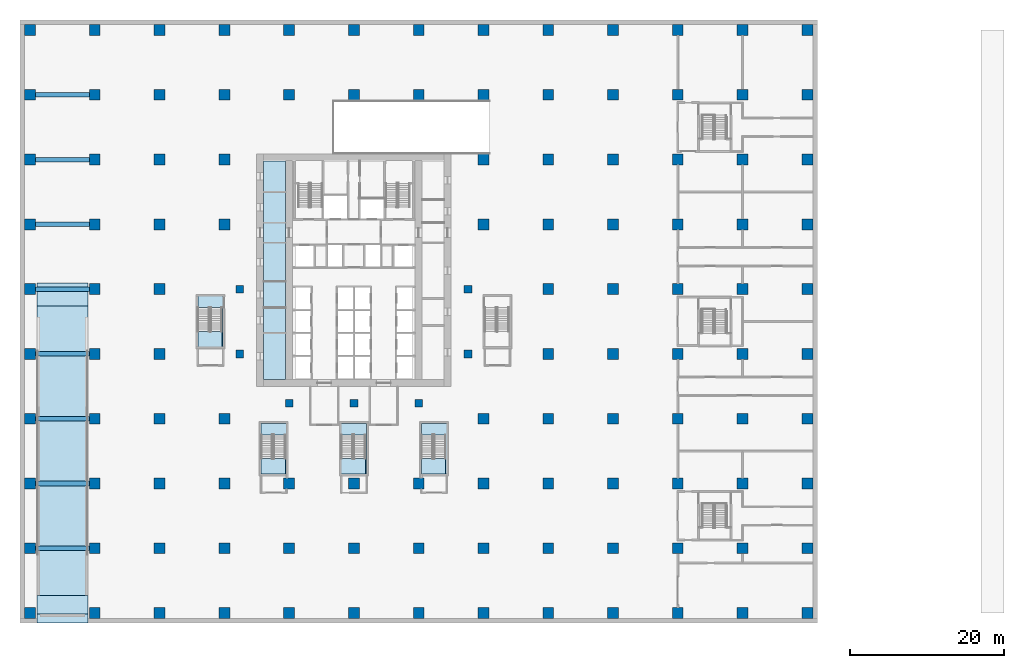
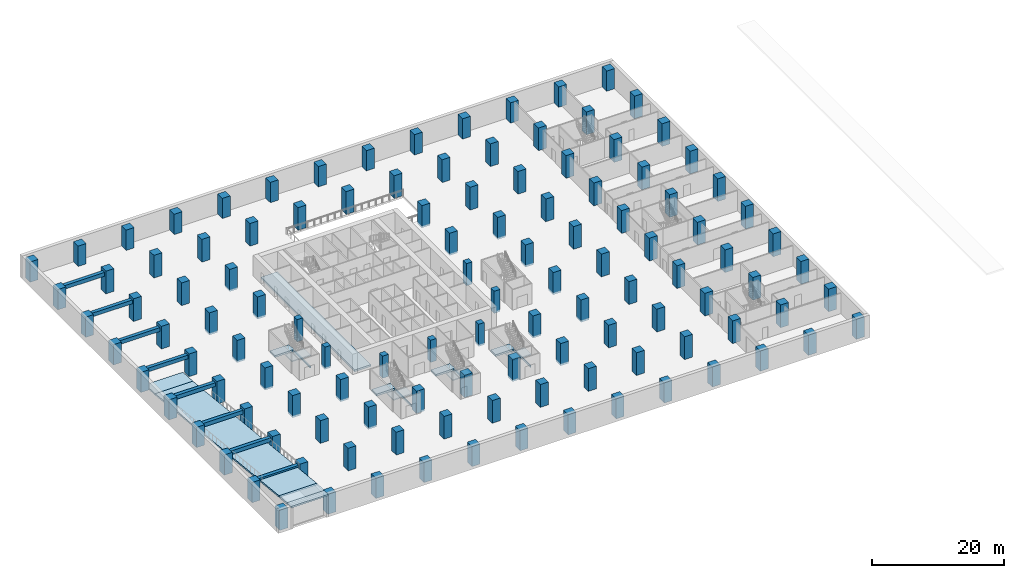
# One storey, part 1 of 17: 118 columns, 13 slabs, 8 beams, 4 elements without a shape of their own.
"""IFC4 building model written with IfcOpenShell, lengths in metres."""

from ifc_helpers import new_model, si_unit, direction, frame, origin, origin_2d, place, context, subcontext, project, spatial, polyline, rectangle, outline, extrude, material, layer, layer_set, material_profile, profile_set, type_object, element, aggregate, save


model = new_model("IFC4")

# Units and contexts
model_context = context("Model", 3, precision=1e-05, world=origin(), true_north=direction((0.0, 1.0)))
body_context = subcontext(model_context, "Body", "Model", "MODEL_VIEW")
ifc_project = project(units=[si_unit("LENGTHUNIT", "METRE"), si_unit("AREAUNIT", "SQUARE_METRE"), si_unit("VOLUMEUNIT", "CUBIC_METRE"), si_unit("PLANEANGLEUNIT", "RADIAN"), si_unit("MASSUNIT", "GRAM", prefix="KILO")], contexts=[model_context])

# Site, building, storey
site_placement = place(None, origin())
site = spatial("IfcSite", under=ifc_project, at=site_placement, CompositionType="ELEMENT")
building_placement = place(site_placement, origin())
building = spatial("IfcBuilding", under=site, at=building_placement, Name="Vermilion Ogive Tower", CompositionType="ELEMENT")
storey_placement = place(building_placement, frame((0.0, 0.0, -4.199951171875)))
storey = spatial("IfcBuildingStorey", under=building, at=storey_placement, Name="B1", CompositionType="ELEMENT", Elevation=-4.199951171875)

# Columns
ifc_material_1 = material(Name="Concrete B80", Category="concrete")
ifc_material_profile_1 = material_profile(ifc_material_1, rectangle(XDim=1.39990234375, YDim=1.39990234375, at=origin_2d()), Name="1400 x 1400")
ifc_profile_set_1 = profile_set([ifc_material_profile_1], Name="Concrete B80")
column_type_1 = type_object("IfcColumnType", Name="Perimeter column 1400 x 1400 B80", PredefinedType="COLUMN", material=ifc_profile_set_1)
for number, where, z_axis, x_axis, name in (
    (1, (-16.800048828125, -21.0, -0.35009765625), (0.0, 0.0, 1.0), (1.0, 0.0, 0.0), "COL-B1-P-0168-210"),
    (2, (-8.39990234375, -21.0, -0.35009765625), (0.0, 0.0, 1.0), (1.0, 0.0, 0.0), "COL-B1-P-0084-210"),
    (3, (0.0, -21.0, -0.35009765625), (0.0, 0.0, 1.0), (1.0, 0.0, 0.0), "COL-B1-P+0000-210"),
    (4, (8.39990234375, -21.0, -0.35009765625), (0.0, 0.0, 1.0), (1.0, 0.0, 0.0), "COL-B1-P+0084-210"),
    (5, (16.800048828125, -21.0, -0.35009765625), (0.0, 0.0, 1.0), (1.0, 0.0, 0.0), "COL-B1-P+0168-210"),
    (6, (-25.199951171875, -12.60009765625, -0.35009765625), (0.0, 0.0, 1.0), (1.0, 0.0, 0.0), "COL-B1-P-0252-126"),
    (7, (-16.800048828125, -12.60009765625, -0.35009765625), (0.0, 0.0, 1.0), (1.0, 0.0, 0.0), "COL-B1-P-0168-126"),
    (8, (16.800048828125, -12.60009765625, -0.35009765625), (0.0, 0.0, 1.0), (1.0, 0.0, 0.0), "COL-B1-P+0168-126"),
    (9, (25.199951171875, -12.60009765625, -0.35009765625), (0.0, 0.0, 1.0), (1.0, 0.0, 0.0), "COL-B1-P+0252-126"),
    (10, (-25.199951171875, -4.199951171875, -0.35009765625), (0.0, 0.0, 1.0), (1.0, 0.0, 0.0), "COL-B1-P-0252-042"),
    (11, (25.199951171875, -4.199951171875, -0.35009765625), (0.0, 0.0, 1.0), (1.0, 0.0, 0.0), "COL-B1-P+0252-042"),
    (12, (-25.199951171875, 4.199951171875, -0.35009765625), (0.0, 0.0, 1.0), (1.0, 0.0, 0.0), "COL-B1-P-0252+042"),
    (13, (25.199951171875, 4.199951171875, -0.35009765625), (0.0, 0.0, 1.0), (1.0, 0.0, 0.0), "COL-B1-P+0252+042"),
    (14, (-25.199951171875, 12.60009765625, -0.35009765625), (0.0, 0.0, 1.0), (1.0, 0.0, 0.0), "COL-B1-P-0252+126"),
    (15, (-16.800048828125, 12.60009765625, -0.35009765625), (0.0, 0.0, 1.0), (1.0, 0.0, 0.0), "COL-B1-P-0168+126"),
    (16, (16.800048828125, 12.60009765625, -0.35009765625), (0.0, 0.0, 1.0), (1.0, 0.0, 0.0), "COL-B1-P+0168+126"),
    (17, (25.199951171875, 12.60009765625, -0.35009765625), (0.0, 0.0, 1.0), (1.0, 0.0, 0.0), "COL-B1-P+0252+126"),
    (18, (-16.800048828125, 21.0, -0.35009765625), (0.0, 0.0, 1.0), (1.0, 0.0, 0.0), "COL-B1-P-0168+210"),
    (19, (16.800048828125, 21.0, -0.35009765625), (0.0, 0.0, 1.0), (1.0, 0.0, 0.0), "COL-B1-P+0168+210"),
):
    element("IfcColumn", number, at=place(storey_placement, frame(where, z_axis=z_axis, x_axis=x_axis)), inside=storey, type_object=column_type_1, Name=name, PredefinedType="COLUMN", context=body_context, shape_type="SweptSolid", body=[
        extrude(rectangle(XDim=1.39990234375, YDim=1.39990234375, at=origin_2d()), origin(), (0.0, 0.0, 1.0), 4.10009765625),
    ])
ifc_material_2 = material(Name="Concrete B60", Category="concrete")
ifc_material_profile_2 = material_profile(ifc_material_2, rectangle(XDim=1.39990234375, YDim=1.39990234375, at=origin_2d()), Name="RC 1400x1400")
ifc_profile_set_2 = profile_set([ifc_material_profile_2], Name="Concrete B60")
column_type_2 = type_object("IfcColumnType", Name="Podium column RC 1400", PredefinedType="COLUMN", material=ifc_profile_set_2)
for number, where, z_axis, x_axis, name in (
    (20, (-42.0, -37.800048828125, 0.0), (0.0, 0.0, 1.0), (1.0, 0.0, 0.0), "Column 1.4 B1"),
    (21, (-33.60009765625, -37.800048828125, 0.0), (0.0, 0.0, 1.0), (1.0, 0.0, 0.0), "Column 1.4 B1"),
    (22, (-25.199951171875, -37.800048828125, 0.0), (0.0, 0.0, 1.0), (1.0, 0.0, 0.0), "Column 1.4 B1"),
    (23, (-16.800048828125, -37.800048828125, 0.0), (0.0, 0.0, 1.0), (1.0, 0.0, 0.0), "Column 1.4 B1"),
    (24, (-8.39990234375, -37.800048828125, 0.0), (0.0, 0.0, 1.0), (1.0, 0.0, 0.0), "Column 1.4 B1"),
    (25, (0.0, -37.800048828125, 0.0), (0.0, 0.0, 1.0), (1.0, 0.0, 0.0), "Column 1.4 B1"),
    (26, (8.39990234375, -37.800048828125, 0.0), (0.0, 0.0, 1.0), (1.0, 0.0, 0.0), "Column 1.4 B1"),
    (27, (16.800048828125, -37.800048828125, 0.0), (0.0, 0.0, 1.0), (1.0, 0.0, 0.0), "Column 1.4 B1"),
    (28, (25.199951171875, -37.800048828125, 0.0), (0.0, 0.0, 1.0), (1.0, 0.0, 0.0), "Column 1.4 B1"),
    (29, (33.60009765625, -37.800048828125, 0.0), (0.0, 0.0, 1.0), (1.0, 0.0, 0.0), "Column 1.4 B1"),
    (30, (42.0, -37.800048828125, 0.0), (0.0, 0.0, 1.0), (1.0, 0.0, 0.0), "Column 1.4 B1"),
    (31, (50.39990234375, -37.800048828125, 0.0), (0.0, 0.0, 1.0), (1.0, 0.0, 0.0), "Column 1.4 B1"),
    (32, (58.800048828125, -37.800048828125, 0.0), (0.0, 0.0, 1.0), (1.0, 0.0, 0.0), "Column 1.4 B1"),
    (33, (-42.0, -29.39990234375, 0.0), (0.0, 0.0, 1.0), (1.0, 0.0, 0.0), "Column 1.4 B1"),
):
    element("IfcColumn", number, at=place(storey_placement, frame(where, z_axis=z_axis, x_axis=x_axis)), inside=storey, type_object=column_type_2, Name=name, PredefinedType="COLUMN", context=body_context, shape_type="SweptSolid", body=[
        extrude(rectangle(XDim=1.39990234375, YDim=1.39990234375, at=origin_2d()), origin(), (0.0, 0.0, 1.0), 3.75),
    ])
for number, where, z_axis, x_axis, name in (
    (34, (-33.60009765625, -29.39990234375, 0.0), (0.0, 0.0, 1.0), (1.0, 0.0, 0.0), "Column 1.4 B1"),
    (35, (-25.199951171875, -29.39990234375, 0.0), (0.0, 0.0, 1.0), (1.0, 0.0, 0.0), "Column 1.4 B1"),
    (36, (-16.800048828125, -29.39990234375, 0.0), (0.0, 0.0, 1.0), (1.0, 0.0, 0.0), "Column 1.4 B1"),
    (37, (-8.39990234375, -29.39990234375, 0.0), (0.0, 0.0, 1.0), (1.0, 0.0, 0.0), "Column 1.4 B1"),
    (38, (0.0, -29.39990234375, 0.0), (0.0, 0.0, 1.0), (1.0, 0.0, 0.0), "Column 1.4 B1"),
    (39, (8.39990234375, -29.39990234375, 0.0), (0.0, 0.0, 1.0), (1.0, 0.0, 0.0), "Column 1.4 B1"),
    (40, (16.800048828125, -29.39990234375, 0.0), (0.0, 0.0, 1.0), (1.0, 0.0, 0.0), "Column 1.4 B1"),
    (41, (25.199951171875, -29.39990234375, 0.0), (0.0, 0.0, 1.0), (1.0, 0.0, 0.0), "Column 1.4 B1"),
    (42, (33.60009765625, -29.39990234375, 0.0), (0.0, 0.0, 1.0), (1.0, 0.0, 0.0), "Column 1.4 B1"),
    (43, (42.0, -29.39990234375, 0.0), (0.0, 0.0, 1.0), (1.0, 0.0, 0.0), "Column 1.4 B1"),
    (44, (50.39990234375, -29.39990234375, 0.0), (0.0, 0.0, 1.0), (1.0, 0.0, 0.0), "Column 1.4 B1"),
    (45, (58.800048828125, -29.39990234375, 0.0), (0.0, 0.0, 1.0), (1.0, 0.0, 0.0), "Column 1.4 B1"),
):
    element("IfcColumn", number, at=place(storey_placement, frame(where, z_axis=z_axis, x_axis=x_axis)), inside=storey, type_object=column_type_2, Name=name, PredefinedType="COLUMN", context=body_context, shape_type="SweptSolid", body=[
        extrude(rectangle(XDim=1.39990234375, YDim=1.39990234375, at=origin_2d()), origin(), (0.0, 0.0, 1.0), 4.199951171875),
    ])
column_1_placement = place(storey_placement, frame((-42.0, -21.0, 0.0), z_axis=(0.0, 0.0, 1.0), x_axis=(1.0, 0.0, 0.0)))
element("IfcColumn", 46, at=column_1_placement, inside=storey, type_object=column_type_2, Name="Column 1.4 B1", PredefinedType="COLUMN", context=body_context, shape_type="SweptSolid", body=[
    extrude(rectangle(XDim=1.39990234375, YDim=1.39990234375, at=origin_2d()), origin(), (0.0, 0.0, 1.0), 3.75),
])
for number, where, z_axis, x_axis, name in (
    (47, (-33.60009765625, -21.0, 0.0), (0.0, 0.0, 1.0), (1.0, 0.0, 0.0), "Column 1.4 B1"),
    (48, (-25.199951171875, -21.0, 0.0), (0.0, 0.0, 1.0), (1.0, 0.0, 0.0), "Column 1.4 B1"),
    (49, (25.199951171875, -21.0, 0.0), (0.0, 0.0, 1.0), (1.0, 0.0, 0.0), "Column 1.4 B1"),
    (50, (33.60009765625, -21.0, 0.0), (0.0, 0.0, 1.0), (1.0, 0.0, 0.0), "Column 1.4 B1"),
    (51, (42.0, -21.0, 0.0), (0.0, 0.0, 1.0), (1.0, 0.0, 0.0), "Column 1.4 B1"),
    (52, (50.39990234375, -21.0, 0.0), (0.0, 0.0, 1.0), (1.0, 0.0, 0.0), "Column 1.4 B1"),
    (53, (58.800048828125, -21.0, 0.0), (0.0, 0.0, 1.0), (1.0, 0.0, 0.0), "Column 1.4 B1"),
):
    element("IfcColumn", number, at=place(storey_placement, frame(where, z_axis=z_axis, x_axis=x_axis)), inside=storey, type_object=column_type_2, Name=name, PredefinedType="COLUMN", context=body_context, shape_type="SweptSolid", body=[
        extrude(rectangle(XDim=1.39990234375, YDim=1.39990234375, at=origin_2d()), origin(), (0.0, 0.0, 1.0), 4.199951171875),
    ])
column_2_placement = place(storey_placement, frame((-42.0, -12.60009765625, 0.0), z_axis=(0.0, 0.0, 1.0), x_axis=(1.0, 0.0, 0.0)))
element("IfcColumn", 54, at=column_2_placement, inside=storey, type_object=column_type_2, Name="Column 1.4 B1", PredefinedType="COLUMN", context=body_context, shape_type="SweptSolid", body=[
    extrude(rectangle(XDim=1.39990234375, YDim=1.39990234375, at=origin_2d()), origin(), (0.0, 0.0, 1.0), 3.75),
])
for number, where, z_axis, x_axis, name in (
    (55, (-33.60009765625, -12.60009765625, 0.0), (0.0, 0.0, 1.0), (1.0, 0.0, 0.0), "Column 1.4 B1"),
    (56, (33.60009765625, -12.60009765625, 0.0), (0.0, 0.0, 1.0), (1.0, 0.0, 0.0), "Column 1.4 B1"),
    (57, (42.0, -12.60009765625, 0.0), (0.0, 0.0, 1.0), (1.0, 0.0, 0.0), "Column 1.4 B1"),
    (58, (50.39990234375, -12.60009765625, 0.0), (0.0, 0.0, 1.0), (1.0, 0.0, 0.0), "Column 1.4 B1"),
    (59, (58.800048828125, -12.60009765625, 0.0), (0.0, 0.0, 1.0), (1.0, 0.0, 0.0), "Column 1.4 B1"),
):
    element("IfcColumn", number, at=place(storey_placement, frame(where, z_axis=z_axis, x_axis=x_axis)), inside=storey, type_object=column_type_2, Name=name, PredefinedType="COLUMN", context=body_context, shape_type="SweptSolid", body=[
        extrude(rectangle(XDim=1.39990234375, YDim=1.39990234375, at=origin_2d()), origin(), (0.0, 0.0, 1.0), 4.199951171875),
    ])
column_3_placement = place(storey_placement, frame((-42.0, -4.199951171875, 0.0), z_axis=(0.0, 0.0, 1.0), x_axis=(1.0, 0.0, 0.0)))
element("IfcColumn", 60, at=column_3_placement, inside=storey, type_object=column_type_2, Name="Column 1.4 B1", PredefinedType="COLUMN", context=body_context, shape_type="SweptSolid", body=[
    extrude(rectangle(XDim=1.39990234375, YDim=1.39990234375, at=origin_2d()), origin(), (0.0, 0.0, 1.0), 3.75),
])
for number, where, z_axis, x_axis, name in (
    (61, (-33.60009765625, -4.199951171875, 0.0), (0.0, 0.0, 1.0), (1.0, 0.0, 0.0), "Column 1.4 B1"),
    (62, (33.60009765625, -4.199951171875, 0.0), (0.0, 0.0, 1.0), (1.0, 0.0, 0.0), "Column 1.4 B1"),
    (63, (42.0, -4.199951171875, 0.0), (0.0, 0.0, 1.0), (1.0, 0.0, 0.0), "Column 1.4 B1"),
    (64, (50.39990234375, -4.199951171875, 0.0), (0.0, 0.0, 1.0), (1.0, 0.0, 0.0), "Column 1.4 B1"),
    (65, (58.800048828125, -4.199951171875, 0.0), (0.0, 0.0, 1.0), (1.0, 0.0, 0.0), "Column 1.4 B1"),
):
    element("IfcColumn", number, at=place(storey_placement, frame(where, z_axis=z_axis, x_axis=x_axis)), inside=storey, type_object=column_type_2, Name=name, PredefinedType="COLUMN", context=body_context, shape_type="SweptSolid", body=[
        extrude(rectangle(XDim=1.39990234375, YDim=1.39990234375, at=origin_2d()), origin(), (0.0, 0.0, 1.0), 4.199951171875),
    ])
column_4_placement = place(storey_placement, frame((-42.0, 4.199951171875, 0.0), z_axis=(0.0, 0.0, 1.0), x_axis=(1.0, 0.0, 0.0)))
element("IfcColumn", 66, at=column_4_placement, inside=storey, type_object=column_type_2, Name="Column 1.4 B1", PredefinedType="COLUMN", context=body_context, shape_type="SweptSolid", body=[
    extrude(rectangle(XDim=1.39990234375, YDim=1.39990234375, at=origin_2d()), origin(), (0.0, 0.0, 1.0), 3.75),
])
for number, where, z_axis, x_axis, name in (
    (67, (-33.60009765625, 4.199951171875, 0.0), (0.0, 0.0, 1.0), (1.0, 0.0, 0.0), "Column 1.4 B1"),
    (68, (33.60009765625, 4.199951171875, 0.0), (0.0, 0.0, 1.0), (1.0, 0.0, 0.0), "Column 1.4 B1"),
    (69, (42.0, 4.199951171875, 0.0), (0.0, 0.0, 1.0), (1.0, 0.0, 0.0), "Column 1.4 B1"),
    (70, (50.39990234375, 4.199951171875, 0.0), (0.0, 0.0, 1.0), (1.0, 0.0, 0.0), "Column 1.4 B1"),
    (71, (58.800048828125, 4.199951171875, 0.0), (0.0, 0.0, 1.0), (1.0, 0.0, 0.0), "Column 1.4 B1"),
):
    element("IfcColumn", number, at=place(storey_placement, frame(where, z_axis=z_axis, x_axis=x_axis)), inside=storey, type_object=column_type_2, Name=name, PredefinedType="COLUMN", context=body_context, shape_type="SweptSolid", body=[
        extrude(rectangle(XDim=1.39990234375, YDim=1.39990234375, at=origin_2d()), origin(), (0.0, 0.0, 1.0), 4.199951171875),
    ])
column_5_placement = place(storey_placement, frame((-42.0, 12.60009765625, 0.0), z_axis=(0.0, 0.0, 1.0), x_axis=(1.0, 0.0, 0.0)))
element("IfcColumn", 72, at=column_5_placement, inside=storey, type_object=column_type_2, Name="Column 1.4 B1", PredefinedType="COLUMN", context=body_context, shape_type="SweptSolid", body=[
    extrude(rectangle(XDim=1.39990234375, YDim=1.39990234375, at=origin_2d()), origin(), (0.0, 0.0, 1.0), 3.75),
])
for number, where, z_axis, x_axis, name in (
    (73, (-33.60009765625, 12.60009765625, 0.0), (0.0, 0.0, 1.0), (1.0, 0.0, 0.0), "Column 1.4 B1"),
    (74, (33.60009765625, 12.60009765625, 0.0), (0.0, 0.0, 1.0), (1.0, 0.0, 0.0), "Column 1.4 B1"),
    (75, (42.0, 12.60009765625, 0.0), (0.0, 0.0, 1.0), (1.0, 0.0, 0.0), "Column 1.4 B1"),
    (76, (50.39990234375, 12.60009765625, 0.0), (0.0, 0.0, 1.0), (1.0, 0.0, 0.0), "Column 1.4 B1"),
    (77, (58.800048828125, 12.60009765625, 0.0), (0.0, 0.0, 1.0), (1.0, 0.0, 0.0), "Column 1.4 B1"),
):
    element("IfcColumn", number, at=place(storey_placement, frame(where, z_axis=z_axis, x_axis=x_axis)), inside=storey, type_object=column_type_2, Name=name, PredefinedType="COLUMN", context=body_context, shape_type="SweptSolid", body=[
        extrude(rectangle(XDim=1.39990234375, YDim=1.39990234375, at=origin_2d()), origin(), (0.0, 0.0, 1.0), 4.199951171875),
    ])
column_6_placement = place(storey_placement, frame((-42.0, 21.0, 0.0), z_axis=(0.0, 0.0, 1.0), x_axis=(1.0, 0.0, 0.0)))
element("IfcColumn", 78, at=column_6_placement, inside=storey, type_object=column_type_2, Name="Column 1.4 B1", PredefinedType="COLUMN", context=body_context, shape_type="SweptSolid", body=[
    extrude(rectangle(XDim=1.39990234375, YDim=1.39990234375, at=origin_2d()), origin(), (0.0, 0.0, 1.0), 3.75),
])
for number, where, z_axis, x_axis, name in (
    (79, (-33.60009765625, 21.0, 0.0), (0.0, 0.0, 1.0), (1.0, 0.0, 0.0), "Column 1.4 B1"),
    (80, (-25.199951171875, 21.0, 0.0), (0.0, 0.0, 1.0), (1.0, 0.0, 0.0), "Column 1.4 B1"),
    (81, (25.199951171875, 21.0, 0.0), (0.0, 0.0, 1.0), (1.0, 0.0, 0.0), "Column 1.4 B1"),
    (82, (33.60009765625, 21.0, 0.0), (0.0, 0.0, 1.0), (1.0, 0.0, 0.0), "Column 1.4 B1"),
    (83, (42.0, 21.0, 0.0), (0.0, 0.0, 1.0), (1.0, 0.0, 0.0), "Column 1.4 B1"),
    (84, (50.39990234375, 21.0, 0.0), (0.0, 0.0, 1.0), (1.0, 0.0, 0.0), "Column 1.4 B1"),
    (85, (58.800048828125, 21.0, 0.0), (0.0, 0.0, 1.0), (1.0, 0.0, 0.0), "Column 1.4 B1"),
):
    element("IfcColumn", number, at=place(storey_placement, frame(where, z_axis=z_axis, x_axis=x_axis)), inside=storey, type_object=column_type_2, Name=name, PredefinedType="COLUMN", context=body_context, shape_type="SweptSolid", body=[
        extrude(rectangle(XDim=1.39990234375, YDim=1.39990234375, at=origin_2d()), origin(), (0.0, 0.0, 1.0), 4.199951171875),
    ])
column_7_placement = place(storey_placement, frame((-42.0, 29.39990234375, 0.0), z_axis=(0.0, 0.0, 1.0), x_axis=(1.0, 0.0, 0.0)))
element("IfcColumn", 86, at=column_7_placement, inside=storey, type_object=column_type_2, Name="Column 1.4 B1", PredefinedType="COLUMN", context=body_context, shape_type="SweptSolid", body=[
    extrude(rectangle(XDim=1.39990234375, YDim=1.39990234375, at=origin_2d()), origin(), (0.0, 0.0, 1.0), 3.75),
])
for number, where, z_axis, x_axis, name in (
    (87, (-33.60009765625, 29.39990234375, 0.0), (0.0, 0.0, 1.0), (1.0, 0.0, 0.0), "Column 1.4 B1"),
    (88, (-25.199951171875, 29.39990234375, 0.0), (0.0, 0.0, 1.0), (1.0, 0.0, 0.0), "Column 1.4 B1"),
    (89, (-16.800048828125, 29.39990234375, 0.0), (0.0, 0.0, 1.0), (1.0, 0.0, 0.0), "Column 1.4 B1"),
    (90, (-8.39990234375, 29.39990234375, 0.0), (0.0, 0.0, 1.0), (1.0, 0.0, 0.0), "Column 1.4 B1"),
    (91, (0.0, 29.39990234375, 0.0), (0.0, 0.0, 1.0), (1.0, 0.0, 0.0), "Column 1.4 B1"),
    (92, (8.39990234375, 29.39990234375, 0.0), (0.0, 0.0, 1.0), (1.0, 0.0, 0.0), "Column 1.4 B1"),
    (93, (16.800048828125, 29.39990234375, 0.0), (0.0, 0.0, 1.0), (1.0, 0.0, 0.0), "Column 1.4 B1"),
    (94, (25.199951171875, 29.39990234375, 0.0), (0.0, 0.0, 1.0), (1.0, 0.0, 0.0), "Column 1.4 B1"),
    (95, (33.60009765625, 29.39990234375, 0.0), (0.0, 0.0, 1.0), (1.0, 0.0, 0.0), "Column 1.4 B1"),
    (96, (42.0, 29.39990234375, 0.0), (0.0, 0.0, 1.0), (1.0, 0.0, 0.0), "Column 1.4 B1"),
    (97, (50.39990234375, 29.39990234375, 0.0), (0.0, 0.0, 1.0), (1.0, 0.0, 0.0), "Column 1.4 B1"),
    (98, (58.800048828125, 29.39990234375, 0.0), (0.0, 0.0, 1.0), (1.0, 0.0, 0.0), "Column 1.4 B1"),
):
    element("IfcColumn", number, at=place(storey_placement, frame(where, z_axis=z_axis, x_axis=x_axis)), inside=storey, type_object=column_type_2, Name=name, PredefinedType="COLUMN", context=body_context, shape_type="SweptSolid", body=[
        extrude(rectangle(XDim=1.39990234375, YDim=1.39990234375, at=origin_2d()), origin(), (0.0, 0.0, 1.0), 4.199951171875),
    ])
for number, where, z_axis, x_axis, name in (
    (99, (-42.0, 37.800048828125, 0.0), (0.0, 0.0, 1.0), (1.0, 0.0, 0.0), "Column 1.4 B1"),
    (100, (-33.60009765625, 37.800048828125, 0.0), (0.0, 0.0, 1.0), (1.0, 0.0, 0.0), "Column 1.4 B1"),
    (101, (-25.199951171875, 37.800048828125, 0.0), (0.0, 0.0, 1.0), (1.0, 0.0, 0.0), "Column 1.4 B1"),
    (102, (-16.800048828125, 37.800048828125, 0.0), (0.0, 0.0, 1.0), (1.0, 0.0, 0.0), "Column 1.4 B1"),
    (103, (-8.39990234375, 37.800048828125, 0.0), (0.0, 0.0, 1.0), (1.0, 0.0, 0.0), "Column 1.4 B1"),
    (104, (0.0, 37.800048828125, 0.0), (0.0, 0.0, 1.0), (1.0, 0.0, 0.0), "Column 1.4 B1"),
    (105, (8.39990234375, 37.800048828125, 0.0), (0.0, 0.0, 1.0), (1.0, 0.0, 0.0), "Column 1.4 B1"),
    (106, (16.800048828125, 37.800048828125, 0.0), (0.0, 0.0, 1.0), (1.0, 0.0, 0.0), "Column 1.4 B1"),
    (107, (25.199951171875, 37.800048828125, 0.0), (0.0, 0.0, 1.0), (1.0, 0.0, 0.0), "Column 1.4 B1"),
    (108, (33.60009765625, 37.800048828125, 0.0), (0.0, 0.0, 1.0), (1.0, 0.0, 0.0), "Column 1.4 B1"),
    (109, (42.0, 37.800048828125, 0.0), (0.0, 0.0, 1.0), (1.0, 0.0, 0.0), "Column 1.4 B1"),
    (110, (50.39990234375, 37.800048828125, 0.0), (0.0, 0.0, 1.0), (1.0, 0.0, 0.0), "Column 1.4 B1"),
    (111, (58.800048828125, 37.800048828125, 0.0), (0.0, 0.0, 1.0), (1.0, 0.0, 0.0), "Column 1.4 B1"),
):
    element("IfcColumn", number, at=place(storey_placement, frame(where, z_axis=z_axis, x_axis=x_axis)), inside=storey, type_object=column_type_2, Name=name, PredefinedType="COLUMN", context=body_context, shape_type="SweptSolid", body=[
        extrude(rectangle(XDim=1.39990234375, YDim=1.39990234375, at=origin_2d()), origin(), (0.0, 0.0, 1.0), 3.75),
    ])
ifc_material_3 = material(Name="Concrete B80", Category="concrete")
ifc_material_profile_3 = material_profile(ifc_material_3, rectangle(XDim=1.0, YDim=1.0, at=origin_2d()), Name="1000 x 1000")
ifc_profile_set_3 = profile_set([ifc_material_profile_3], Name="Concrete B80")
column_type_3 = type_object("IfcColumnType", Name="Ring column 1000 x 1000 B80", PredefinedType="COLUMN", material=ifc_profile_set_3)
for number, where, z_axis, x_axis, name in (
    (112, (-8.39990234375, -10.60009765625, -0.35009765625), (0.0, 0.0, 1.0), (1.0, 0.0, 0.0), "COL-B1-R-0084-106"),
    (113, (0.0, -10.60009765625, -0.35009765625), (0.0, 0.0, 1.0), (1.0, 0.0, 0.0), "COL-B1-R+0000-106"),
    (114, (8.39990234375, -10.60009765625, -0.35009765625), (0.0, 0.0, 1.0), (1.0, 0.0, 0.0), "COL-B1-R+0084-106"),
    (115, (-14.800048828125, -4.199951171875, -0.35009765625), (0.0, 0.0, 1.0), (1.0, 0.0, 0.0), "COL-B1-R-0148-042"),
    (116, (14.800048828125, -4.199951171875, -0.35009765625), (0.0, 0.0, 1.0), (1.0, 0.0, 0.0), "COL-B1-R+0148-042"),
    (117, (-14.800048828125, 4.199951171875, -0.35009765625), (0.0, 0.0, 1.0), (1.0, 0.0, 0.0), "COL-B1-R-0148+042"),
    (118, (14.800048828125, 4.199951171875, -0.35009765625), (0.0, 0.0, 1.0), (1.0, 0.0, 0.0), "COL-B1-R+0148+042"),
):
    element("IfcColumn", number, at=place(storey_placement, frame(where, z_axis=z_axis, x_axis=x_axis)), inside=storey, type_object=column_type_3, Name=name, PredefinedType="COLUMN", context=body_context, shape_type="SweptSolid", body=[
        extrude(rectangle(XDim=1.0, YDim=1.0, at=origin_2d()), origin(), (0.0, 0.0, 1.0), 4.10009765625),
    ])

# Beams
ifc_material_4 = material(Name="Concrete B45", Category="concrete")
ifc_material_profile_4 = material_profile(ifc_material_4, rectangle(XDim=0.60009765625, YDim=0.699951171875, at=origin_2d()), Name="RC 600x700")
ifc_profile_set_4 = profile_set([ifc_material_profile_4], Name="Concrete B45")
beam_type = type_object("IfcBeamType", Name="Canopy support beam CB1 600x700", PredefinedType="BEAM", material=ifc_profile_set_4)
for number, where, z_axis, x_axis, name in (
    (119, (-41.300048828125, -29.39990234375, 3.39990234375), (1.0, 0.0, 0.0), (0.0, 1.0, 0.0), "Canopy support beam 01"),
    (120, (-41.300048828125, -21.0, 3.39990234375), (1.0, 0.0, 0.0), (0.0, 1.0, 0.0), "Canopy support beam 02"),
    (121, (-41.300048828125, -12.60009765625, 3.39990234375), (1.0, 0.0, 0.0), (0.0, 1.0, 0.0), "Canopy support beam 03"),
    (122, (-41.300048828125, -4.199951171875, 3.39990234375), (1.0, 0.0, 0.0), (0.0, 1.0, 0.0), "Canopy support beam 04"),
    (123, (-41.300048828125, 4.199951171875, 3.39990234375), (1.0, 0.0, 0.0), (0.0, 1.0, 0.0), "Canopy support beam 05"),
    (124, (-41.300048828125, 12.60009765625, 3.39990234375), (1.0, 0.0, 0.0), (0.0, 1.0, 0.0), "Canopy support beam 06"),
    (125, (-41.300048828125, 21.0, 3.39990234375), (1.0, 0.0, 0.0), (0.0, 1.0, 0.0), "Canopy support beam 07"),
    (126, (-41.300048828125, 29.39990234375, 3.39990234375), (1.0, 0.0, 0.0), (0.0, 1.0, 0.0), "Canopy support beam 08"),
):
    element("IfcBeam", number, at=place(storey_placement, frame(where, z_axis=z_axis, x_axis=x_axis)), inside=storey, type_object=beam_type, Name=name, PredefinedType="BEAM", context=body_context, shape_type="SweptSolid", body=[
        extrude(rectangle(XDim=0.60009765625, YDim=0.699951171875, at=origin_2d()), origin(), (0.0, 0.0, 1.0), 7.0),
    ])

# Slabs
ifc_material_5 = material(Name="Concrete B45", Category="concrete")
ifc_layer_1 = layer(ifc_material_5, 0.300048828125)
ifc_layer_set_1 = layer_set([ifc_layer_1], Name="Car park ramp slab 300 Concrete B45")
slab_type_1 = type_object("IfcSlabType", Name="Car park ramp slab 300 Concrete B45", PredefinedType="FLOOR", material=ifc_layer_set_1)
slab_1_placement = place(storey_placement, frame((-41.10009765625, 5.0, 0.0), z_axis=(0.0, 0.051769679, 0.998659051096), x_axis=(0.0, -0.998659051096, 0.051769679)))
element("IfcSlab", 127, at=slab_1_placement, inside=storey, type_object=slab_type_1, Name="Car park ramp RA to grade slab 1", PredefinedType="FLOOR", context=body_context, shape_type="SweptSolid", body=[
    extrude(outline(polyline([(0.0, 0.0), (3.0040282483868, 0.0), (3.0040282483868, 6.600097656249999), (0.0, 6.600097656249999), (0.0, 0.0)])), origin(), (0.0, 0.0, -1.0), 0.300048828125),
])
slab_2_placement = place(storey_placement, frame((-41.10009765625, 2.0, 0.155517578125), z_axis=(0.0, 0.103151234889, 0.994665683906), x_axis=(0.0, -0.994665683906, 0.103151234889)))
element("IfcSlab", 128, at=slab_2_placement, inside=storey, type_object=slab_type_1, Name="Car park ramp RA to grade slab 2", PredefinedType="FLOOR", context=body_context, shape_type="SweptSolid", body=[
    extrude(outline(polyline([(0.0, 0.0), (37.70110963587922, 0.0), (37.70110963587922, 6.600097656250002), (0.0, 6.600097656250002), (0.0, 0.0)])), origin(), (0.0, 0.0, -1.0), 0.300048828125),
])
slab_3_placement = place(storey_placement, frame((-41.10009765625, -35.5, 4.04443359375), z_axis=(0.0, 0.064665995538, 0.997906964111), x_axis=(0.0, -0.997906964111, 0.064665995538)))
element("IfcSlab", 129, at=slab_3_placement, inside=storey, type_object=slab_type_1, Name="Car park ramp RA to grade slab 3", PredefinedType="FLOOR", context=body_context, shape_type="SweptSolid", body=[
    extrude(outline(polyline([(0.0, 0.0), (2.4049359610273635, 0.0), (2.4049359610273635, 6.60009765625), (0.0, 6.60009765625), (0.0, 0.0)])), origin(), (0.0, 0.0, -1.0), 0.300048828125),
])
slab_4_placement = place(storey_placement, frame((0.0, 0.0, 3.89990234375)))
element("IfcSlab", 130, at=slab_4_placement, inside=storey, type_object=slab_type_1, Name="Car park ramp RA to grade slab 4", PredefinedType="FLOOR", context=body_context, shape_type="SweptSolid", body=[
    extrude(outline(polyline([(-41.10009765625, -37.89990234375), (-41.10009765625, -39.10009765625), (-34.5, -39.10009765625), (-34.5, -37.89990234375), (-41.10009765625, -37.89990234375)])), origin(), (0.0, 0.0, 1.0), 0.300048828125),
])
ifc_material_6 = material(Name="Concrete B40", Category="concrete")
ifc_layer_2 = layer(ifc_material_6, 0.35009765625)
ifc_layer_set_2 = layer_set([ifc_layer_2], Name="Core floor slab 350 B40")
slab_type_2 = type_object("IfcSlabType", Name="Core floor slab 350 B40", PredefinedType="FLOOR", material=ifc_layer_set_2)
slab_5_placement = place(storey_placement, frame((0.0, 0.0, -0.35009765625)))
element("IfcSlab", 131, at=slab_5_placement, inside=storey, type_object=slab_type_2, Name="B1-CK-FS1", PredefinedType="FLOOR", context=body_context, shape_type="SweptSolid", body=[
    extrude(outline(polyline([(-8.85400390625, -7.49609375), (-11.696044921875, -7.49609375), (-11.696044921875, 20.845947265625), (-8.85400390625, 20.845947265625), (-8.85400390625, -7.49609375)])), origin(), (0.0, 0.0, 1.0), 0.35009765625),
])
slab_6_placement = place(storey_placement, frame((0.0, 0.0, -0.35009765625)))
element("IfcSlab", 132, at=slab_6_placement, inside=storey, type_object=slab_type_2, Name="B1-SF-ST3-1", PredefinedType="FLOOR", context=body_context, shape_type="SweptSolid", body=[
    extrude(outline(polyline([(-12.050048828125, -13.199951171875), (-12.050048828125, -14.701904296875), (-10.550048828125, -14.701904296875), (-10.550048828125, -14.699951171875), (-10.39990234375, -14.699951171875), (-10.39990234375, -14.701904296875), (-8.89990234375, -14.701904296875), (-8.89990234375, -19.800048828125), (-8.75, -19.800048828125), (-8.75, -13.199951171875), (-12.050048828125, -13.199951171875)])), origin(), (0.0, 0.0, 1.0), 0.35009765625),
])
slab_7_placement = place(storey_placement, frame((0.0, 0.0, -0.35009765625)))
element("IfcSlab", 133, at=slab_7_placement, inside=storey, type_object=slab_type_2, Name="B1-SF-ST4-1", PredefinedType="FLOOR", context=body_context, shape_type="SweptSolid", body=[
    extrude(outline(polyline([(-1.64990234375, -13.199951171875), (-1.64990234375, -14.701904296875), (-0.14990234375, -14.701904296875), (-0.14990234375, -14.699951171875), (0.0, -14.699951171875), (0.0, -14.701904296875), (1.5, -14.701904296875), (1.5, -19.800048828125), (1.64990234375, -19.800048828125), (1.64990234375, -13.199951171875), (-1.64990234375, -13.199951171875)])), origin(), (0.0, 0.0, 1.0), 0.35009765625),
])
slab_8_placement = place(storey_placement, frame((0.0, 0.0, -0.35009765625)))
element("IfcSlab", 134, at=slab_8_placement, inside=storey, type_object=slab_type_2, Name="B1-SF-ST5-1", PredefinedType="FLOOR", context=body_context, shape_type="SweptSolid", body=[
    extrude(outline(polyline([(8.75, -13.199951171875), (8.75, -14.701904296875), (10.25, -14.701904296875), (10.25, -14.699951171875), (10.39990234375, -14.699951171875), (10.39990234375, -14.701904296875), (11.89990234375, -14.701904296875), (11.89990234375, -19.800048828125), (12.050048828125, -19.800048828125), (12.050048828125, -13.199951171875), (8.75, -13.199951171875)])), origin(), (0.0, 0.0, 1.0), 0.35009765625),
])
slab_9_placement = place(storey_placement, frame((0.0, 0.0, -0.35009765625)))
element("IfcSlab", 135, at=slab_9_placement, inside=storey, type_object=slab_type_2, Name="B1-SF-ST9-1", PredefinedType="FLOOR", context=body_context, shape_type="SweptSolid", body=[
    extrude(outline(polyline([(-20.25, 3.300048828125), (-20.25, 1.798095703125), (-18.75, 1.798095703125), (-18.75, 1.800048828125), (-18.60009765625, 1.800048828125), (-18.60009765625, 1.798095703125), (-17.10009765625, 1.798095703125), (-17.10009765625, -3.300048828125), (-16.949951171875, -3.300048828125), (-16.949951171875, 3.300048828125), (-20.25, 3.300048828125)])), origin(), (0.0, 0.0, 1.0), 0.35009765625),
])

# Stair, slab
ifc_material_7 = material(Name="Concrete B40", Category="concrete")
stair_type = type_object("IfcStairType", Name="Exit stair 1500", PredefinedType="HALF_TURN_STAIR", material=ifc_material_7)
stair_1_placement = place(storey_placement, origin())
stair_1 = element("IfcStair", 136, at=stair_1_placement, inside=storey, type_object=stair_type, Name="B1 Exit Stair ST3", PredefinedType="HALF_TURN_STAIR")
ifc_material_8 = material(Name="Concrete B40", Category="concrete")
ifc_layer_3 = layer(ifc_material_8, 0.199951171875)
ifc_layer_set_3 = layer_set([ifc_layer_3], Name="Stair landing 200")
slab_type_3 = type_object("IfcSlabType", Name="Stair landing 200", PredefinedType="LANDING", material=ifc_layer_set_3)
slab_10_placement = place(storey_placement, frame((0.0, 0.0, 1.89990234375)))
slab_10 = element("IfcSlab", 137, at=slab_10_placement, type_object=slab_type_3, Name="ST3 landing 1", PredefinedType="LANDING", context=body_context, shape_type="SweptSolid", body=[
    extrude(outline(polyline([(-8.75, -17.780029296875), (-8.89990234375, -17.780029296875), (-8.89990234375, -17.778076171875), (-10.39990234375, -17.778076171875), (-10.39990234375, -17.780029296875), (-10.550048828125, -17.780029296875), (-10.550048828125, -17.778076171875), (-12.050048828125, -17.778076171875), (-12.050048828125, -19.800048828125), (-8.75, -19.800048828125), (-8.75, -17.780029296875)])), origin(), (0.0, 0.0, 1.0), 0.199951171875),
])
aggregate(stair_1, [slab_10])

stair_2_placement = place(storey_placement, origin())
stair_2 = element("IfcStair", 138, at=stair_2_placement, inside=storey, type_object=stair_type, Name="B1 Exit Stair ST4", PredefinedType="HALF_TURN_STAIR")
slab_11_placement = place(storey_placement, frame((0.0, 0.0, 1.89990234375)))
slab_11 = element("IfcSlab", 139, at=slab_11_placement, type_object=slab_type_3, Name="ST4 landing 1", PredefinedType="LANDING", context=body_context, shape_type="SweptSolid", body=[
    extrude(outline(polyline([(1.64990234375, -17.780029296875), (1.5, -17.780029296875), (1.5, -17.778076171875), (0.0, -17.778076171875), (0.0, -17.780029296875), (-0.14990234375, -17.780029296875), (-0.14990234375, -17.778076171875), (-1.64990234375, -17.778076171875), (-1.64990234375, -19.800048828125), (1.64990234375, -19.800048828125), (1.64990234375, -17.780029296875)])), origin(), (0.0, 0.0, 1.0), 0.199951171875),
])
aggregate(stair_2, [slab_11])

stair_3_placement = place(storey_placement, origin())
stair_3 = element("IfcStair", 140, at=stair_3_placement, inside=storey, type_object=stair_type, Name="B1 Exit Stair ST5", PredefinedType="HALF_TURN_STAIR")
slab_12_placement = place(storey_placement, frame((0.0, 0.0, 1.89990234375)))
slab_12 = element("IfcSlab", 141, at=slab_12_placement, type_object=slab_type_3, Name="ST5 landing 1", PredefinedType="LANDING", context=body_context, shape_type="SweptSolid", body=[
    extrude(outline(polyline([(12.050048828125, -17.780029296875), (11.89990234375, -17.780029296875), (11.89990234375, -17.778076171875), (10.39990234375, -17.778076171875), (10.39990234375, -17.780029296875), (10.25, -17.780029296875), (10.25, -17.778076171875), (8.75, -17.778076171875), (8.75, -19.800048828125), (12.050048828125, -19.800048828125), (12.050048828125, -17.780029296875)])), origin(), (0.0, 0.0, 1.0), 0.199951171875),
])
aggregate(stair_3, [slab_12])

stair_4_placement = place(storey_placement, origin())
stair_4 = element("IfcStair", 142, at=stair_4_placement, inside=storey, type_object=stair_type, Name="B1 Exit Stair ST9", PredefinedType="HALF_TURN_STAIR")
slab_13_placement = place(storey_placement, frame((0.0, 0.0, 1.89990234375)))
slab_13 = element("IfcSlab", 143, at=slab_13_placement, type_object=slab_type_3, Name="ST9 landing 1", PredefinedType="LANDING", context=body_context, shape_type="SweptSolid", body=[
    extrude(outline(polyline([(-16.949951171875, -1.280029296875), (-17.10009765625, -1.280029296875), (-17.10009765625, -1.278076171875), (-18.60009765625, -1.278076171875), (-18.60009765625, -1.280029296875), (-18.75, -1.280029296875), (-18.75, -1.278076171875), (-20.25, -1.278076171875), (-20.25, -3.300048828125), (-16.949951171875, -3.300048828125), (-16.949951171875, -1.280029296875)])), origin(), (0.0, 0.0, 1.0), 0.199951171875),
])
aggregate(stair_4, [slab_13])

save(model, "model.ifc")
